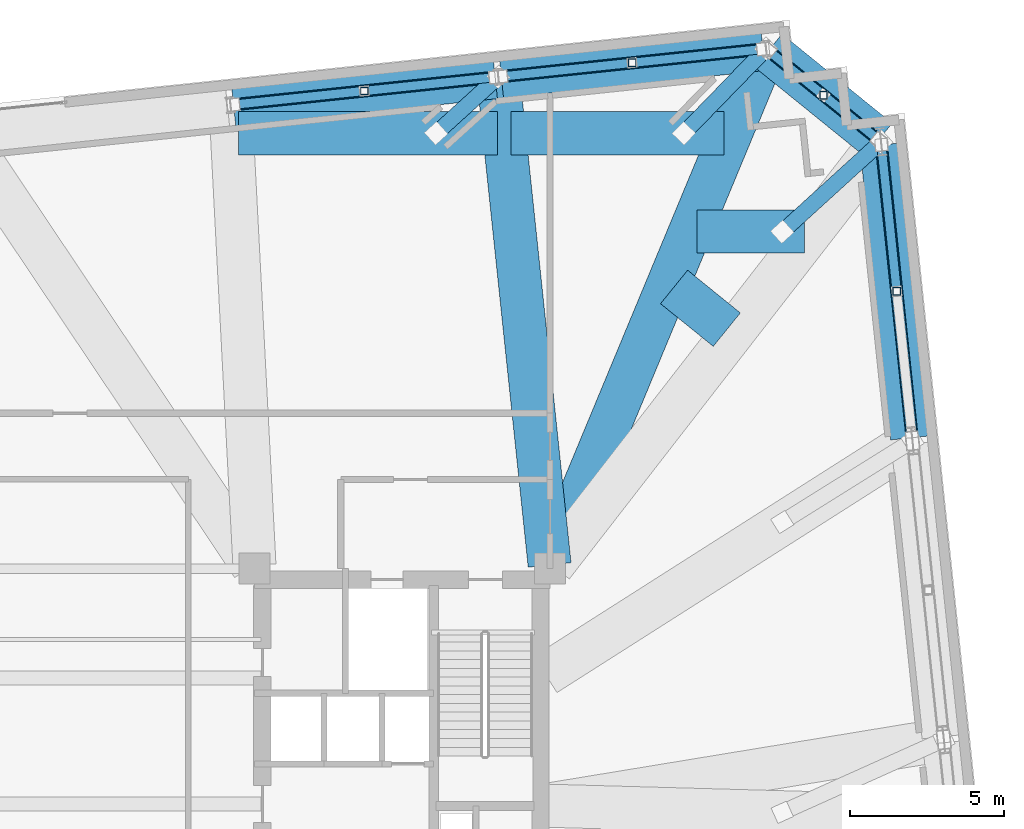
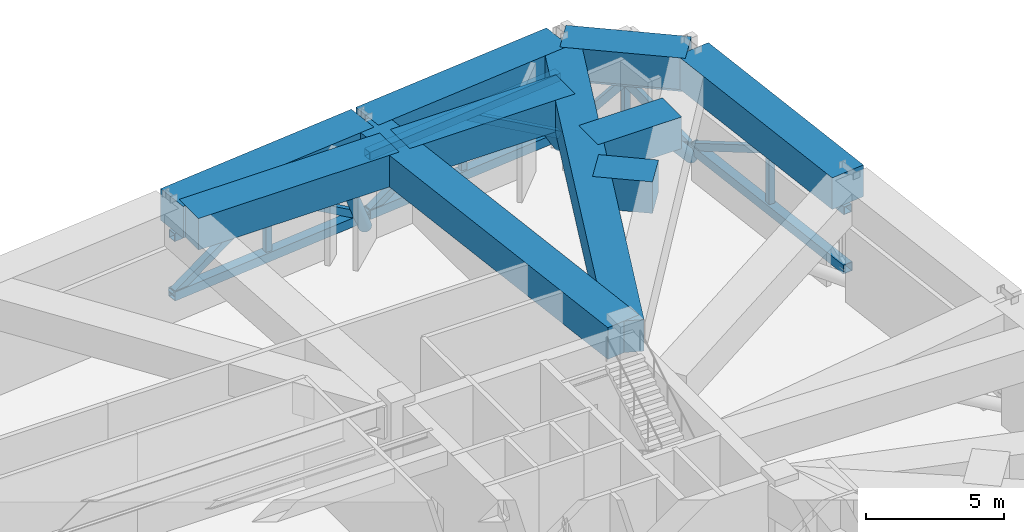
# One storey, part 15 of 23: 22 members, 10 beams.
"""IFC4 building model written with IfcOpenShell, lengths in metres."""

from ifc_helpers import new_model, si_unit, direction, frame, origin, origin_2d, place, context, subcontext, project, spatial, rectangle, hollow_rectangle, hollow_circle, extrude, material, material_profile, profile_set, type_object, element, save


model = new_model("IFC4")

# Units and contexts
model_context = context("Model", 3, precision=1e-05, world=origin(), true_north=direction((0.0, 1.0)))
body_context = subcontext(model_context, "Body", "Model", "MODEL_VIEW")
ifc_project = project(units=[si_unit("LENGTHUNIT", "METRE"), si_unit("AREAUNIT", "SQUARE_METRE"), si_unit("VOLUMEUNIT", "CUBIC_METRE"), si_unit("PLANEANGLEUNIT", "RADIAN"), si_unit("MASSUNIT", "GRAM", prefix="KILO")], contexts=[model_context])

# Site, building, storey
site_placement = place(None, origin())
site = spatial("IfcSite", under=ifc_project, at=site_placement, CompositionType="ELEMENT")
building_placement = place(site_placement, origin())
building = spatial("IfcBuilding", under=site, at=building_placement, Name="Qobustan Lattice House", CompositionType="ELEMENT")
storey_placement = place(building_placement, frame((0.0, 0.0, 125.89990234375)))
storey = spatial("IfcBuildingStorey", under=building, at=storey_placement, Name="L35", CompositionType="ELEMENT", Elevation=125.89990234375)

# Beams
ifc_material_1 = material(Name="Concrete C60/75", Category="concrete")
ifc_material_profile_1 = material_profile(ifc_material_1, rectangle(XDim=1.39990234375, YDim=1.39990234375, at=origin_2d()), Name="RC1400x1400")
ifc_profile_set_1 = profile_set([ifc_material_profile_1], Name="Concrete C60/75")
beam_type = type_object("IfcBeamType", Name="BM-TRG-RC1400", PredefinedType="USERDEFINED", material=ifc_profile_set_1)
beam_1_placement = place(storey_placement, frame((30.566650390625, 9.85546875, 4.1201171875), z_axis=(-0.104533336382, 0.994521383171, 0.0), x_axis=(-0.994521383171, -0.104533336382, 0.0)))
element("IfcBeam", 1, at=beam_1_placement, inside=storey, type_object=beam_type, Name="L35 TT2 lower perimeter transfer girder E3-E4", ObjectType="GIRDER", PredefinedType="USERDEFINED", context=body_context, shape_type="SweptSolid", body=[
    extrude(rectangle(XDim=1.39990234375, YDim=1.39990234375, at=origin_2d()), origin(), (0.0, 0.0, 1.0), 9.56640625),
])
beam_2_placement = place(storey_placement, frame((29.478515625, 19.531982421875, 4.1201171875), z_axis=(-0.7771387579, 0.629329286597, 0.0), x_axis=(-0.629329286597, -0.7771387579, 0.0)))
element("IfcBeam", 2, at=beam_2_placement, inside=storey, type_object=beam_type, Name="L35 TT2 lower perimeter transfer girder E4-N1", ObjectType="GIRDER", PredefinedType="USERDEFINED", context=body_context, shape_type="SweptSolid", body=[
    extrude(rectangle(XDim=1.39990234375, YDim=1.39990234375, at=origin_2d()), origin(), (0.0, 0.0, 1.0), 4.6083984375),
])
beam_3_placement = place(storey_placement, frame((25.719970703125, 22.484619140625, 4.1201171875), z_axis=(-0.994520931815, -0.104537630462, 0.0), x_axis=(0.104537630462, -0.994520931815, 0.0)))
element("IfcBeam", 3, at=beam_3_placement, inside=storey, type_object=beam_type, Name="L35 TT2 lower perimeter transfer girder N1-N2", ObjectType="GIRDER", PredefinedType="USERDEFINED", context=body_context, shape_type="SweptSolid", body=[
    extrude(rectangle(XDim=1.39990234375, YDim=1.39990234375, at=origin_2d()), origin(), (0.0, 0.0, 1.0), 8.550048828125),
])
beam_4_placement = place(storey_placement, frame((17.017822265625, 21.56982421875, 4.1201171875), z_axis=(-0.994523588185, -0.104512355942, 0.0), x_axis=(0.104512355942, -0.994523588185, 0.0)))
element("IfcBeam", 4, at=beam_4_placement, inside=storey, type_object=beam_type, Name="L35 TT2 lower perimeter transfer girder N2-N3", ObjectType="GIRDER", PredefinedType="USERDEFINED", context=body_context, shape_type="SweptSolid", body=[
    extrude(rectangle(XDim=1.39990234375, YDim=1.39990234375, at=origin_2d()), origin(), (0.0, 0.0, 1.0), 8.5498046875),
])
beam_5_placement = place(storey_placement, frame((18.845947265625, 5.710693359375, 4.1201171875), z_axis=(0.383679067118, 0.923466498285, 0.0), x_axis=(-0.923466498285, 0.383679067118, 0.0)))
element("IfcBeam", 5, at=beam_5_placement, inside=storey, type_object=beam_type, Name="L35 TT2 radial transfer girder N1", ObjectType="GIRDER", PredefinedType="USERDEFINED", context=body_context, shape_type="SweptSolid", body=[
    extrude(rectangle(XDim=1.39990234375, YDim=1.39990234375, at=origin_2d()), origin(), (0.0, 0.0, 1.0), 18.055419921875),
])
beam_6_placement = place(storey_placement, frame((18.787353515625, 5.71923828125, 4.1201171875), z_axis=(-0.104711279384, 0.994502663631, 0.0), x_axis=(-0.994502663631, -0.104711279384, 0.0)))
element("IfcBeam", 6, at=beam_6_placement, inside=storey, type_object=beam_type, Name="L35 TT2 radial transfer girder N2", ObjectType="GIRDER", PredefinedType="USERDEFINED", context=body_context, shape_type="SweptSolid", body=[
    extrude(rectangle(XDim=1.39990234375, YDim=1.39990234375, at=origin_2d()), origin(), (0.0, 0.0, 1.0), 15.828857421875),
])
beam_7_placement = place(storey_placement, frame((22.831787109375, 14.75390625, 4.1201171875), z_axis=(0.777105584619, -0.629370249022, 0.0), x_axis=(0.629370249022, 0.777105584619, 0.0)))
element("IfcBeam", 7, at=beam_7_placement, inside=storey, type_object=beam_type, Name="L35 TT2 quadrant transfer tie girder 1", ObjectType="GIRDER", PredefinedType="USERDEFINED", context=body_context, shape_type="SweptSolid", body=[
    extrude(rectangle(XDim=1.39990234375, YDim=1.39990234375, at=origin_2d()), origin(), (0.0, 0.0, 1.0), 2.20458984375),
])
beam_8_placement = place(storey_placement, frame((23.569580078125, 16.550048828125, 4.1201171875), z_axis=(1.0, 0.0, 0.0), x_axis=(0.0, 1.0, 0.0)))
element("IfcBeam", 8, at=beam_8_placement, inside=storey, type_object=beam_type, Name="L35 TT2 primary column transfer girder E4", ObjectType="GIRDER", PredefinedType="USERDEFINED", context=body_context, shape_type="SweptSolid", body=[
    extrude(rectangle(XDim=1.39990234375, YDim=1.39990234375, at=origin_2d()), origin(), (0.0, 0.0, 1.0), 3.5029296875),
])
beam_9_placement = place(storey_placement, frame((17.5302734375, 19.75, 4.1201171875), z_axis=(1.0, 0.0, 0.0), x_axis=(0.0, 1.0, 0.0)))
element("IfcBeam", 9, at=beam_9_placement, inside=storey, type_object=beam_type, Name="L35 TT2 primary column transfer girder N1", ObjectType="GIRDER", PredefinedType="USERDEFINED", context=body_context, shape_type="SweptSolid", body=[
    extrude(rectangle(XDim=1.39990234375, YDim=1.39990234375, at=origin_2d()), origin(), (0.0, 0.0, 1.0), 6.9287109375),
])
beam_10_placement = place(storey_placement, frame((8.68310546875, 19.75, 4.1201171875), z_axis=(1.0, 0.0, 0.0), x_axis=(0.0, 1.0, 0.0)))
element("IfcBeam", 10, at=beam_10_placement, inside=storey, type_object=beam_type, Name="L35 TT2 primary column transfer girder N2", ObjectType="GIRDER", PredefinedType="USERDEFINED", context=body_context, shape_type="SweptSolid", body=[
    extrude(rectangle(XDim=1.39990234375, YDim=1.39990234375, at=origin_2d()), origin(), (0.0, 0.0, 1.0), 8.406982421875),
])

# Members
ifc_material_2 = material(Name="Steel S355", Category="steel")
ifc_material_profile_2 = material_profile(ifc_material_2, hollow_rectangle(XDim=0.300048828125, YDim=0.300048828125, WallThickness=0.01611328125, at=origin_2d()), Name="SHS300x300x16")
ifc_profile_set_2 = profile_set([ifc_material_profile_2], Name="Steel S355")
member_type_1 = type_object("IfcMemberType", Name="MEM-BRC-SHS300", PredefinedType="BRACE", material=ifc_profile_set_2)
member_1_placement = place(storey_placement, frame((30.066650390625, 14.6123046875, 3.14013671875), z_axis=(-0.091919893425, 0.874540587592, -0.476161205736), x_axis=(-0.994521662032, -0.104530683287, 0.0)))
element("IfcMember", 11, at=member_1_placement, inside=storey, type_object=member_type_1, Name="L35 TT2 belt truss web diagonal E3-E4 B", PredefinedType="BRACE", context=body_context, shape_type="SweptSolid", body=[
    extrude(hollow_rectangle(XDim=0.300048828125, YDim=0.300048828125, WallThickness=0.01611328125, at=origin_2d()), origin(), (0.0, 0.0, 1.0), 5.439453125),
])
member_2_placement = place(storey_placement, frame((29.478515625, 19.531982421875, 0.550048828125), z_axis=(-0.516517095997, 0.418270389027, 0.747167967198), x_axis=(-0.629323200588, -0.77714368633, 0.0)))
element("IfcMember", 12, at=member_2_placement, inside=storey, type_object=member_type_1, Name="L35 TT2 belt truss web diagonal E4-N1 A", PredefinedType="BRACE", context=body_context, shape_type="SweptSolid", body=[
    extrude(hollow_rectangle(XDim=0.300048828125, YDim=0.300048828125, WallThickness=0.01611328125, at=origin_2d()), origin(), (0.0, 0.0, 1.0), 3.466552734375),
])
member_3_placement = place(storey_placement, frame((27.68798828125, 20.98193359375, 3.14013671875), z_axis=(-0.516553515012, 0.418313275961, -0.747118778564), x_axis=(-0.629335371662, -0.777133830158, 0.0)))
element("IfcMember", 13, at=member_3_placement, inside=storey, type_object=member_type_1, Name="L35 TT2 belt truss web diagonal E4-N1 B", PredefinedType="BRACE", context=body_context, shape_type="SweptSolid", body=[
    extrude(hollow_rectangle(XDim=0.300048828125, YDim=0.300048828125, WallThickness=0.01611328125, at=origin_2d()), origin(), (0.0, 0.0, 1.0), 3.466796875),
])
member_4_placement = place(storey_placement, frame((25.719970703125, 22.484619140625, 0.550048828125), z_axis=(-0.850576482414, -0.089434107, 0.518190301018), x_axis=(0.104568842204, -0.994517650542, 0.0)))
element("IfcMember", 14, at=member_4_placement, inside=storey, type_object=member_type_1, Name="L35 TT2 belt truss web diagonal N1-N2 A", PredefinedType="BRACE", context=body_context, shape_type="SweptSolid", body=[
    extrude(hollow_rectangle(XDim=0.300048828125, YDim=0.300048828125, WallThickness=0.01611328125, at=origin_2d()), origin(), (0.0, 0.0, 1.0), 4.998291015625),
])
member_5_placement = place(storey_placement, frame((21.468505859375, 22.03759765625, 3.14013671875), z_axis=(-0.850593702391, -0.089381939442, -0.518171035812), x_axis=(0.104506420204, -0.994524211941, 0.0)))
element("IfcMember", 15, at=member_5_placement, inside=storey, type_object=member_type_1, Name="L35 TT2 belt truss web diagonal N1-N2 B", PredefinedType="BRACE", context=body_context, shape_type="SweptSolid", body=[
    extrude(hollow_rectangle(XDim=0.300048828125, YDim=0.300048828125, WallThickness=0.01611328125, at=origin_2d()), origin(), (0.0, 0.0, 1.0), 4.99853515625),
])
for number, where, z_axis, x_axis, name in (
    (16, (17.017822265625, 21.56982421875, 0.550048828125), (-0.850580197044, -0.089385652957, 0.518192564054), (0.104512355942, -0.994523588185, 0.0), "L35 TT2 belt truss web diagonal N2-N3 A"),
    (17, (12.766357421875, 21.123046875, 3.14013671875), (-0.850580197044, -0.089385652957, -0.518192564054), (0.104512355942, -0.994523588185, 0.0), "L35 TT2 belt truss web diagonal N2-N3 B"),
):
    element("IfcMember", number, at=place(storey_placement, frame(where, z_axis=z_axis, x_axis=x_axis)), inside=storey, type_object=member_type_1, Name=name, PredefinedType="BRACE", context=body_context, shape_type="SweptSolid", body=[
        extrude(hollow_rectangle(XDim=0.300048828125, YDim=0.300048828125, WallThickness=0.01611328125, at=origin_2d()), origin(), (0.0, 0.0, 1.0), 4.998291015625),
    ])
ifc_material_3 = material(Name="Steel S355", Category="steel")
ifc_material_profile_3 = material_profile(ifc_material_3, hollow_rectangle(XDim=0.35009765625, YDim=0.35009765625, WallThickness=0.01611328125, at=origin_2d()), Name="SHS350x350x16")
ifc_profile_set_3 = profile_set([ifc_material_profile_3], Name="Steel S355")
member_type_2 = type_object("IfcMemberType", Name="MEM-CHD-SHS350", PredefinedType="CHORD", material=ifc_profile_set_3)
member_6_placement = place(storey_placement, frame((30.566650390625, 9.85546875, 3.14013671875), z_axis=(-0.104533336382, 0.994521383171, 0.0), x_axis=(-0.994521383171, -0.104533336382, 0.0)))
element("IfcMember", 18, at=member_6_placement, inside=storey, type_object=member_type_2, Name="L35 TT2 belt truss top chord E3-E4", PredefinedType="CHORD", context=body_context, shape_type="SweptSolid", body=[
    extrude(hollow_rectangle(XDim=0.35009765625, YDim=0.35009765625, WallThickness=0.01611328125, at=origin_2d()), origin(), (0.0, 0.0, 1.0), 9.56640625),
])
member_7_placement = place(storey_placement, frame((29.478515625, 19.531982421875, 3.14013671875), z_axis=(-0.7771387579, 0.629329286597, 0.0), x_axis=(-0.629329286597, -0.7771387579, 0.0)))
element("IfcMember", 19, at=member_7_placement, inside=storey, type_object=member_type_2, Name="L35 TT2 belt truss top chord E4-N1", PredefinedType="CHORD", context=body_context, shape_type="SweptSolid", body=[
    extrude(hollow_rectangle(XDim=0.35009765625, YDim=0.35009765625, WallThickness=0.01611328125, at=origin_2d()), origin(), (0.0, 0.0, 1.0), 4.6083984375),
])
member_8_placement = place(storey_placement, frame((25.719970703125, 22.484619140625, 3.14013671875), z_axis=(-0.994520931815, -0.104537630462, 0.0), x_axis=(0.104537630462, -0.994520931815, 0.0)))
element("IfcMember", 20, at=member_8_placement, inside=storey, type_object=member_type_2, Name="L35 TT2 belt truss top chord N1-N2", PredefinedType="CHORD", context=body_context, shape_type="SweptSolid", body=[
    extrude(hollow_rectangle(XDim=0.35009765625, YDim=0.35009765625, WallThickness=0.01611328125, at=origin_2d()), origin(), (0.0, 0.0, 1.0), 8.550048828125),
])
member_9_placement = place(storey_placement, frame((17.017822265625, 21.56982421875, 3.14013671875), z_axis=(-0.994523588185, -0.104512355942, 0.0), x_axis=(0.104512355942, -0.994523588185, 0.0)))
element("IfcMember", 21, at=member_9_placement, inside=storey, type_object=member_type_2, Name="L35 TT2 belt truss top chord N2-N3", PredefinedType="CHORD", context=body_context, shape_type="SweptSolid", body=[
    extrude(hollow_rectangle(XDim=0.35009765625, YDim=0.35009765625, WallThickness=0.01611328125, at=origin_2d()), origin(), (0.0, 0.0, 1.0), 8.5498046875),
])
ifc_material_4 = material(Name="Steel S355", Category="steel")
ifc_material_profile_4 = material_profile(ifc_material_4, hollow_rectangle(XDim=0.39990234375, YDim=0.39990234375, WallThickness=0.02001953125, at=origin_2d()), Name="SHS400x400x20")
ifc_profile_set_4 = profile_set([ifc_material_profile_4], Name="Steel S355")
member_type_3 = type_object("IfcMemberType", Name="MEM-CHD-SHS400", PredefinedType="CHORD", material=ifc_profile_set_4)
member_10_placement = place(storey_placement, frame((30.566650390625, 9.85546875, 0.550048828125), z_axis=(-0.104533336382, 0.994521383171, 0.0), x_axis=(-0.994521383171, -0.104533336382, 0.0)))
element("IfcMember", 22, at=member_10_placement, inside=storey, type_object=member_type_3, Name="L35 TT2 belt truss bottom chord E3-E4", PredefinedType="CHORD", context=body_context, shape_type="SweptSolid", body=[
    extrude(hollow_rectangle(XDim=0.39990234375, YDim=0.39990234375, WallThickness=0.02001953125, at=origin_2d()), origin(), (0.0, 0.0, 1.0), 9.56640625),
])
member_11_placement = place(storey_placement, frame((29.478515625, 19.531982421875, 0.550048828125), z_axis=(-0.7771387579, 0.629329286597, 0.0), x_axis=(-0.629329286597, -0.7771387579, 0.0)))
element("IfcMember", 23, at=member_11_placement, inside=storey, type_object=member_type_3, Name="L35 TT2 belt truss bottom chord E4-N1", PredefinedType="CHORD", context=body_context, shape_type="SweptSolid", body=[
    extrude(hollow_rectangle(XDim=0.39990234375, YDim=0.39990234375, WallThickness=0.02001953125, at=origin_2d()), origin(), (0.0, 0.0, 1.0), 4.6083984375),
])
member_12_placement = place(storey_placement, frame((25.719970703125, 22.484619140625, 0.550048828125), z_axis=(-0.994520931815, -0.104537630462, 0.0), x_axis=(0.104537630462, -0.994520931815, 0.0)))
element("IfcMember", 24, at=member_12_placement, inside=storey, type_object=member_type_3, Name="L35 TT2 belt truss bottom chord N1-N2", PredefinedType="CHORD", context=body_context, shape_type="SweptSolid", body=[
    extrude(hollow_rectangle(XDim=0.39990234375, YDim=0.39990234375, WallThickness=0.02001953125, at=origin_2d()), origin(), (0.0, 0.0, 1.0), 8.550048828125),
])
member_13_placement = place(storey_placement, frame((17.017822265625, 21.56982421875, 0.550048828125), z_axis=(-0.994523588185, -0.104512355942, 0.0), x_axis=(0.104512355942, -0.994523588185, 0.0)))
element("IfcMember", 25, at=member_13_placement, inside=storey, type_object=member_type_3, Name="L35 TT2 belt truss bottom chord N2-N3", PredefinedType="CHORD", context=body_context, shape_type="SweptSolid", body=[
    extrude(hollow_rectangle(XDim=0.39990234375, YDim=0.39990234375, WallThickness=0.02001953125, at=origin_2d()), origin(), (0.0, 0.0, 1.0), 8.5498046875),
])
ifc_material_5 = material(Name="Steel S355", Category="steel")
ifc_material_profile_5 = material_profile(ifc_material_5, hollow_rectangle(XDim=0.25, YDim=0.25, WallThickness=0.012451171875, at=origin_2d()), Name="SHS250x250x12.5")
ifc_profile_set_5 = profile_set([ifc_material_profile_5], Name="Steel S355")
member_type_4 = type_object("IfcMemberType", Name="MEM-PST-SHS250", PredefinedType="POST", material=ifc_profile_set_5)
for number, where, z_axis, x_axis, name in (
    (26, (30.066650390625, 14.6123046875, 0.550048828125), (0.0, 0.0, 1.0), (1.0, 0.0, 0.0), "L35 TT2 belt truss vertical post E3-E4"),
    (27, (27.68798828125, 20.98193359375, 0.550048828125), (0.0, 0.0, 1.0), (1.0, 0.0, 0.0), "L35 TT2 belt truss vertical post E4-N1"),
    (28, (21.468505859375, 22.03759765625, 0.550048828125), (0.0, 0.0, 1.0), (1.0, 0.0, 0.0), "L35 TT2 belt truss vertical post N1-N2"),
    (29, (12.766357421875, 21.123046875, 0.550048828125), (0.0, 0.0, 1.0), (1.0, 0.0, 0.0), "L35 TT2 belt truss vertical post N2-N3"),
):
    element("IfcMember", number, at=place(storey_placement, frame(where, z_axis=z_axis, x_axis=x_axis)), inside=storey, type_object=member_type_4, Name=name, PredefinedType="POST", context=body_context, shape_type="SweptSolid", body=[
        extrude(hollow_rectangle(XDim=0.25, YDim=0.25, WallThickness=0.012451171875, at=origin_2d()), origin(), (0.0, 0.0, 1.0), 2.590087890625),
    ])
ifc_material_6 = material(Name="Steel S355", Category="steel")
ifc_material_profile_6 = material_profile(ifc_material_6, hollow_circle(Radius=0.25390625, WallThickness=0.02001953125, at=origin_2d()), Name="CHS508x20")
ifc_profile_set_6 = profile_set([ifc_material_profile_6], Name="Steel S355")
member_type_5 = type_object("IfcMemberType", Name="MEM-STR-CHS508", PredefinedType="STRUT", material=ifc_profile_set_6)
member_14_placement = place(storey_placement, frame((29.55615234375, 19.468994140625, 0.01513671875), z_axis=(-0.536959846259, -0.488873889877, 0.687514685881), x_axis=(0.673221932954, -0.739440483737, 0.0)))
element("IfcMember", 30, at=member_14_placement, inside=storey, type_object=member_type_5, Name="L35 TT2 column transfer strut E4", PredefinedType="STRUT", context=body_context, shape_type="SweptSolid", body=[
    extrude(hollow_circle(Radius=0.25390625, WallThickness=0.02001953125, at=origin_2d()), origin(), (0.0, 0.0, 1.0), 5.970703125),
])
member_15_placement = place(storey_placement, frame((25.819580078125, 22.4951171875, 0.01513671875), z_axis=(-0.47556409384, -0.489002530511, 0.731242311278), x_axis=(0.716888690236, -0.697187640318, 0.0)))
element("IfcMember", 31, at=member_15_placement, inside=storey, type_object=member_type_5, Name="L35 TT2 column transfer strut N1", PredefinedType="STRUT", context=body_context, shape_type="SweptSolid", body=[
    extrude(hollow_circle(Radius=0.25390625, WallThickness=0.02001953125, at=origin_2d()), origin(), (0.0, 0.0, 1.0), 5.61376953125),
])
member_16_placement = place(storey_placement, frame((17.117431640625, 21.580322265625, 0.01513671875), z_axis=(-0.409484739717, -0.371524518173, 0.833241729833), x_axis=(0.671945301727, -0.740600777401, 0.0)))
element("IfcMember", 32, at=member_16_placement, inside=storey, type_object=member_type_5, Name="L35 TT2 column transfer strut N2", PredefinedType="STRUT", context=body_context, shape_type="SweptSolid", body=[
    extrude(hollow_circle(Radius=0.25390625, WallThickness=0.02001953125, at=origin_2d()), origin(), (0.0, 0.0, 1.0), 4.926513671875),
])

save(model, "model.ifc")
